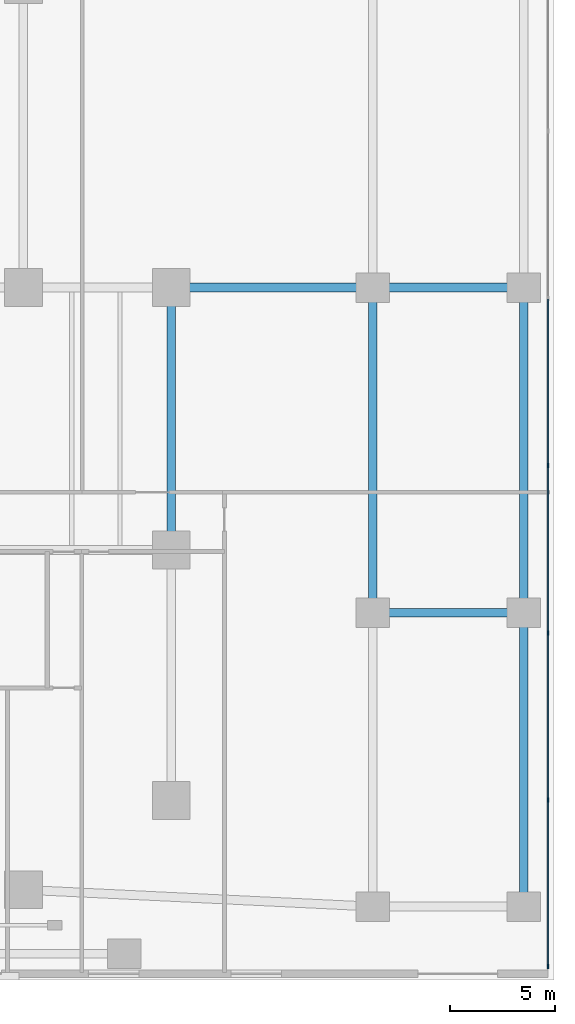
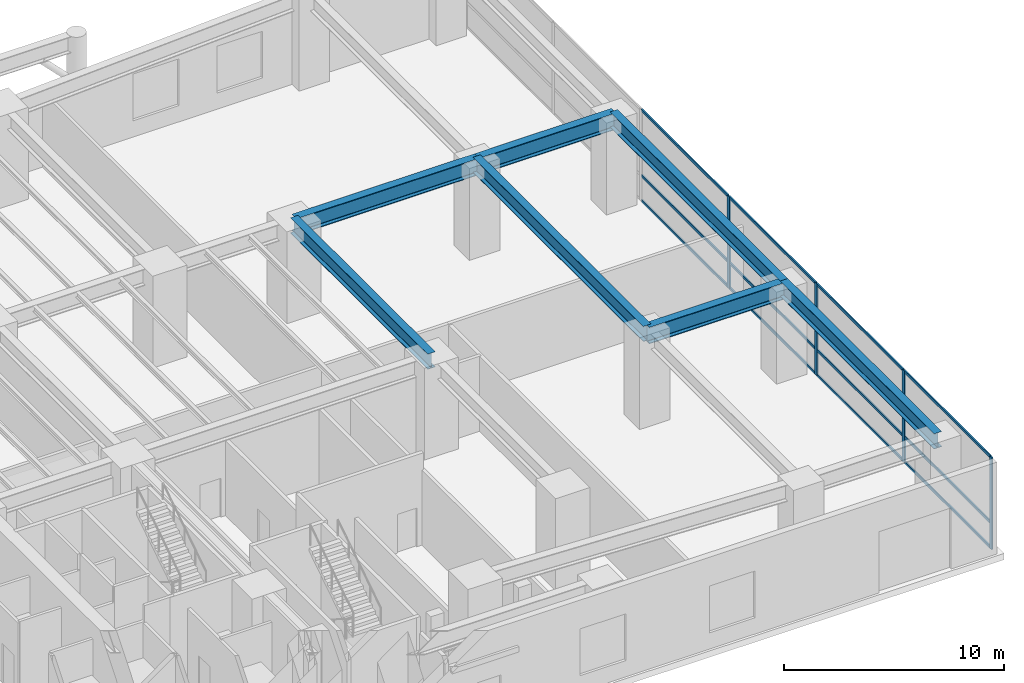
# One storey, part 6 of 19: 16 members, 7 beams, 1 element without a shape of its own.
"""IFC4 building model written with IfcOpenShell, lengths in metres."""

from ifc_helpers import new_model, si_unit, direction, frame, origin, origin_2d, place, context, subcontext, project, spatial, rectangle, i_section, extrude, material, layer, layer_set, material_profile, profile_set, type_object, element, aggregate, save


model = new_model("IFC4")

# Units and contexts
model_context = context("Model", 3, precision=1e-05, world=origin(), true_north=direction((0.0, 1.0)))
body_context = subcontext(model_context, "Body", "Model", "MODEL_VIEW")
ifc_project = project(units=[si_unit("LENGTHUNIT", "METRE"), si_unit("AREAUNIT", "SQUARE_METRE"), si_unit("VOLUMEUNIT", "CUBIC_METRE"), si_unit("PLANEANGLEUNIT", "RADIAN"), si_unit("MASSUNIT", "GRAM", prefix="KILO")], contexts=[model_context])

# Site, building, storey
site_placement = place(None, origin())
site = spatial("IfcSite", under=ifc_project, at=site_placement, CompositionType="ELEMENT")
building_placement = place(site_placement, origin())
building = spatial("IfcBuilding", under=site, at=building_placement, Name="Qalmaran Belvedere Hotel", CompositionType="ELEMENT")
storey_placement = place(building_placement, origin())
storey = spatial("IfcBuildingStorey", under=building, at=storey_placement, Name="L00", CompositionType="ELEMENT", Elevation=0.0)

# Beams
ifc_material_1 = material(Name="Steel S355JR", Category="steel")
ifc_material_profile_1 = material_profile(ifc_material_1, i_section(OverallWidth=0.419921875, OverallDepth=0.9208984375, WebThickness=0.021240234375, FlangeThickness=0.03662109375, FilletRadius=0.02392578125, at=origin_2d()), Name="W920X387")
ifc_profile_set_1 = profile_set([ifc_material_profile_1], Name="Steel S355JR")
beam_type_1 = type_object("IfcBeamType", Name="BM-PG1-W920X387", PredefinedType="USERDEFINED", material=ifc_profile_set_1)
beam_1_placement = place(storey_placement, frame((70.35009765625, 17.5, 4.639404296875), z_axis=(1.0, 0.0, 0.0), x_axis=(0.0, 1.0, 0.0)))
element("IfcBeam", 1, at=beam_1_placement, inside=storey, type_object=beam_type_1, Name="L00 Podium Primary Girder GX16", ObjectType="GIRDER", PredefinedType="USERDEFINED", context=body_context, shape_type="SweptSolid", body=[
    extrude(i_section(OverallWidth=0.419921875, OverallDepth=0.9208984375, WebThickness=0.021240234375, FlangeThickness=0.03662109375, FilletRadius=0.02392578125, at=origin_2d()), origin(), (0.0, 0.0, 1.0), 7.199951171875),
])
beam_2_placement = place(storey_placement, frame((60.75, 33.0, 4.639404296875), z_axis=(1.0, 0.0, 0.0), x_axis=(0.0, 1.0, 0.0)))
element("IfcBeam", 2, at=beam_2_placement, inside=storey, type_object=beam_type_1, Name="L00 Podium Primary Girder GX30", ObjectType="GIRDER", PredefinedType="USERDEFINED", context=body_context, shape_type="SweptSolid", body=[
    extrude(i_section(OverallWidth=0.419921875, OverallDepth=0.9208984375, WebThickness=0.021240234375, FlangeThickness=0.03662109375, FilletRadius=0.02392578125, at=origin_2d()), origin(), (0.0, 0.0, 1.0), 9.60009765625),
])
beam_3_placement = place(storey_placement, frame((70.35009765625, 33.0, 4.639404296875), z_axis=(1.0, 0.0, 0.0), x_axis=(0.0, 1.0, 0.0)))
element("IfcBeam", 3, at=beam_3_placement, inside=storey, type_object=beam_type_1, Name="L00 Podium Primary Girder GX31", ObjectType="GIRDER", PredefinedType="USERDEFINED", context=body_context, shape_type="SweptSolid", body=[
    extrude(i_section(OverallWidth=0.419921875, OverallDepth=0.9208984375, WebThickness=0.021240234375, FlangeThickness=0.03662109375, FilletRadius=0.02392578125, at=origin_2d()), origin(), (0.0, 0.0, 1.0), 7.199951171875),
])
ifc_material_profile_2 = material_profile(ifc_material_1, i_section(OverallWidth=0.39990234375, OverallDepth=0.85498046875, WebThickness=0.018310546875, FlangeThickness=0.029296875, FilletRadius=0.02392578125, at=origin_2d()), Name="W840X299")
ifc_profile_set_2 = profile_set([ifc_material_profile_2], Name="Steel S355JR")
beam_type_2 = type_object("IfcBeamType", Name="BM-PG3-W840X299", PredefinedType="USERDEFINED", material=ifc_profile_set_2)
beam_4_placement = place(storey_placement, frame((60.75, 20.5, 4.672607421875), z_axis=(0.0, 1.0, 0.0), x_axis=(-1.0, 0.0, 0.0)))
element("IfcBeam", 4, at=beam_4_placement, inside=storey, type_object=beam_type_2, Name="L00 Podium Transverse Girder GY70", ObjectType="GIRDER", PredefinedType="USERDEFINED", context=body_context, shape_type="SweptSolid", body=[
    extrude(i_section(OverallWidth=0.39990234375, OverallDepth=0.85498046875, WebThickness=0.018310546875, FlangeThickness=0.029296875, FilletRadius=0.02392578125, at=origin_2d()), origin(), (0.0, 0.0, 1.0), 12.5),
])
beam_5_placement = place(storey_placement, frame((70.35009765625, 17.5, 4.672607421875), z_axis=(0.0, 1.0, 0.0), x_axis=(-1.0, 0.0, 0.0)))
element("IfcBeam", 5, at=beam_5_placement, inside=storey, type_object=beam_type_2, Name="L00 Podium Transverse Girder GY72", ObjectType="GIRDER", PredefinedType="USERDEFINED", context=body_context, shape_type="SweptSolid", body=[
    extrude(i_section(OverallWidth=0.39990234375, OverallDepth=0.85498046875, WebThickness=0.018310546875, FlangeThickness=0.029296875, FilletRadius=0.02392578125, at=origin_2d()), origin(), (0.0, 0.0, 1.0), 15.5),
])
beam_6_placement = place(storey_placement, frame((77.550048828125, 3.5, 4.672607421875), z_axis=(0.0, 1.0, 0.0), x_axis=(-1.0, 0.0, 0.0)))
element("IfcBeam", 6, at=beam_6_placement, inside=storey, type_object=beam_type_2, Name="L00 Podium Transverse Girder GY74", ObjectType="GIRDER", PredefinedType="USERDEFINED", context=body_context, shape_type="SweptSolid", body=[
    extrude(i_section(OverallWidth=0.39990234375, OverallDepth=0.85498046875, WebThickness=0.018310546875, FlangeThickness=0.029296875, FilletRadius=0.02392578125, at=origin_2d()), origin(), (0.0, 0.0, 1.0), 14.0),
])
beam_7_placement = place(storey_placement, frame((77.550048828125, 17.5, 4.672607421875), z_axis=(0.0, 1.0, 0.0), x_axis=(-1.0, 0.0, 0.0)))
element("IfcBeam", 7, at=beam_7_placement, inside=storey, type_object=beam_type_2, Name="L00 Podium Transverse Girder GY75", ObjectType="GIRDER", PredefinedType="USERDEFINED", context=body_context, shape_type="SweptSolid", body=[
    extrude(i_section(OverallWidth=0.39990234375, OverallDepth=0.85498046875, WebThickness=0.018310546875, FlangeThickness=0.029296875, FilletRadius=0.02392578125, at=origin_2d()), origin(), (0.0, 0.0, 1.0), 15.5),
])

# Curtain wall, members
ifc_material_2 = material(Name="Anodised Bronze Aluminium", Category="aluminium")
ifc_layer = layer(ifc_material_2, 0.219970703125, Name="Anodised Bronze Aluminium")
ifc_layer_set = layer_set([ifc_layer], Name="Anodised Bronze Aluminium")
curtain_wall_type = type_object("IfcCurtainWallType", Name="CW1-PODIUM-BRONZE", PredefinedType="NOTDEFINED", material=ifc_layer_set)
curtain_wall_placement = place(storey_placement, origin())
curtain_wall = element("IfcCurtainWall", 8, at=curtain_wall_placement, inside=storey, type_object=curtain_wall_type, Name="L00 Curtain Wall CW1", PredefinedType="NOTDEFINED")
ifc_material_profile_3 = material_profile(ifc_material_2, rectangle(XDim=0.074951171875, YDim=0.219970703125, at=origin_2d()), Name="CWM75X220")
ifc_profile_set_3 = profile_set([ifc_material_profile_3], Name="Anodised Bronze Aluminium")
member_type_1 = type_object("IfcMemberType", Name="CWM-75X220", PredefinedType="MULLION", material=ifc_profile_set_3)
member_1_placement = place(storey_placement, frame((78.699951171875, 0.637451171875, 0.0), z_axis=(0.0, 0.0, 1.0), x_axis=(-1.0, 0.0, 0.0)))
member_1 = element("IfcMember", 9, at=member_1_placement, type_object=member_type_1, Name="CW1 mullion 1", PredefinedType="MULLION", context=body_context, shape_type="SweptSolid", body=[
    extrude(rectangle(XDim=0.074951171875, YDim=0.219970703125, at=origin_2d()), origin(), (0.0, 0.0, 1.0), 5.10009765625),
])
member_2_placement = place(storey_placement, frame((78.699951171875, 8.57177734375, 0.0), z_axis=(0.0, 0.0, 1.0), x_axis=(-1.0, 0.0, 0.0)))
member_2 = element("IfcMember", 10, at=member_2_placement, type_object=member_type_1, Name="CW1 mullion 2", PredefinedType="MULLION", context=body_context, shape_type="SweptSolid", body=[
    extrude(rectangle(XDim=0.074951171875, YDim=0.219970703125, at=origin_2d()), origin(), (0.0, 0.0, 1.0), 5.10009765625),
])
member_3_placement = place(storey_placement, frame((78.699951171875, 16.543212890625, 0.0), z_axis=(0.0, 0.0, 1.0), x_axis=(-1.0, 0.0, 0.0)))
member_3 = element("IfcMember", 11, at=member_3_placement, type_object=member_type_1, Name="CW1 mullion 3", PredefinedType="MULLION", context=body_context, shape_type="SweptSolid", body=[
    extrude(rectangle(XDim=0.074951171875, YDim=0.219970703125, at=origin_2d()), origin(), (0.0, 0.0, 1.0), 5.10009765625),
])
member_4_placement = place(storey_placement, frame((78.699951171875, 24.514892578125, 0.0), z_axis=(0.0, 0.0, 1.0), x_axis=(-1.0, 0.0, 0.0)))
member_4 = element("IfcMember", 12, at=member_4_placement, type_object=member_type_1, Name="CW1 mullion 4", PredefinedType="MULLION", context=body_context, shape_type="SweptSolid", body=[
    extrude(rectangle(XDim=0.074951171875, YDim=0.219970703125, at=origin_2d()), origin(), (0.0, 0.0, 1.0), 5.10009765625),
])
ifc_material_profile_4 = material_profile(ifc_material_2, rectangle(XDim=0.070068359375, YDim=0.14990234375, at=origin_2d()), Name="CWT70X150")
ifc_profile_set_4 = profile_set([ifc_material_profile_4], Name="Anodised Bronze Aluminium")
member_type_2 = type_object("IfcMemberType", Name="CWT-70X150", PredefinedType="USERDEFINED", material=ifc_profile_set_4)
member_5_placement = place(storey_placement, frame((78.699951171875, 0.675048828125, 0.034912109375), z_axis=(0.0, 1.0, 0.0), x_axis=(-1.0, 0.0, 0.0)))
member_5 = element("IfcMember", 13, at=member_5_placement, type_object=member_type_2, Name="CW1 transom 1.1", ObjectType="TRANSOM", PredefinedType="USERDEFINED", context=body_context, shape_type="SweptSolid", body=[
    extrude(rectangle(XDim=0.070068359375, YDim=0.14990234375, at=origin_2d()), origin(), (0.0, 0.0, 1.0), 7.859130859375),
])
member_6_placement = place(storey_placement, frame((78.699951171875, 0.675048828125, 1.427978515625), z_axis=(0.0, 1.0, 0.0), x_axis=(-1.0, 0.0, 0.0)))
member_6 = element("IfcMember", 14, at=member_6_placement, type_object=member_type_2, Name="CW1 transom 1.2", ObjectType="TRANSOM", PredefinedType="USERDEFINED", context=body_context, shape_type="SweptSolid", body=[
    extrude(rectangle(XDim=0.070068359375, YDim=0.14990234375, at=origin_2d()), origin(), (0.0, 0.0, 1.0), 7.859130859375),
])
member_7_placement = place(storey_placement, frame((78.699951171875, 0.675048828125, 5.06494140625), z_axis=(0.0, 1.0, 0.0), x_axis=(-1.0, 0.0, 0.0)))
member_7 = element("IfcMember", 15, at=member_7_placement, type_object=member_type_2, Name="CW1 transom 1.3", ObjectType="TRANSOM", PredefinedType="USERDEFINED", context=body_context, shape_type="SweptSolid", body=[
    extrude(rectangle(XDim=0.070068359375, YDim=0.14990234375, at=origin_2d()), origin(), (0.0, 0.0, 1.0), 7.859130859375),
])
member_8_placement = place(storey_placement, frame((78.699951171875, 8.609130859375, 0.034912109375), z_axis=(0.0, 1.0, 0.0), x_axis=(-1.0, 0.0, 0.0)))
member_8 = element("IfcMember", 16, at=member_8_placement, type_object=member_type_2, Name="CW1 transom 2.1", ObjectType="TRANSOM", PredefinedType="USERDEFINED", context=body_context, shape_type="SweptSolid", body=[
    extrude(rectangle(XDim=0.070068359375, YDim=0.14990234375, at=origin_2d()), origin(), (0.0, 0.0, 1.0), 7.896728515625),
])
member_9_placement = place(storey_placement, frame((78.699951171875, 8.609130859375, 1.427978515625), z_axis=(0.0, 1.0, 0.0), x_axis=(-1.0, 0.0, 0.0)))
member_9 = element("IfcMember", 17, at=member_9_placement, type_object=member_type_2, Name="CW1 transom 2.2", ObjectType="TRANSOM", PredefinedType="USERDEFINED", context=body_context, shape_type="SweptSolid", body=[
    extrude(rectangle(XDim=0.070068359375, YDim=0.14990234375, at=origin_2d()), origin(), (0.0, 0.0, 1.0), 7.896728515625),
])
member_10_placement = place(storey_placement, frame((78.699951171875, 8.609130859375, 5.06494140625), z_axis=(0.0, 1.0, 0.0), x_axis=(-1.0, 0.0, 0.0)))
member_10 = element("IfcMember", 18, at=member_10_placement, type_object=member_type_2, Name="CW1 transom 2.3", ObjectType="TRANSOM", PredefinedType="USERDEFINED", context=body_context, shape_type="SweptSolid", body=[
    extrude(rectangle(XDim=0.070068359375, YDim=0.14990234375, at=origin_2d()), origin(), (0.0, 0.0, 1.0), 7.896728515625),
])
member_11_placement = place(storey_placement, frame((78.699951171875, 16.580810546875, 0.034912109375), z_axis=(0.0, 1.0, 0.0), x_axis=(-1.0, 0.0, 0.0)))
member_11 = element("IfcMember", 19, at=member_11_placement, type_object=member_type_2, Name="CW1 transom 3.1", ObjectType="TRANSOM", PredefinedType="USERDEFINED", context=body_context, shape_type="SweptSolid", body=[
    extrude(rectangle(XDim=0.070068359375, YDim=0.14990234375, at=origin_2d()), origin(), (0.0, 0.0, 1.0), 7.896728515625),
])
member_12_placement = place(storey_placement, frame((78.699951171875, 16.580810546875, 1.427978515625), z_axis=(0.0, 1.0, 0.0), x_axis=(-1.0, 0.0, 0.0)))
member_12 = element("IfcMember", 20, at=member_12_placement, type_object=member_type_2, Name="CW1 transom 3.2", ObjectType="TRANSOM", PredefinedType="USERDEFINED", context=body_context, shape_type="SweptSolid", body=[
    extrude(rectangle(XDim=0.070068359375, YDim=0.14990234375, at=origin_2d()), origin(), (0.0, 0.0, 1.0), 7.896728515625),
])
member_13_placement = place(storey_placement, frame((78.699951171875, 16.580810546875, 5.06494140625), z_axis=(0.0, 1.0, 0.0), x_axis=(-1.0, 0.0, 0.0)))
member_13 = element("IfcMember", 21, at=member_13_placement, type_object=member_type_2, Name="CW1 transom 3.3", ObjectType="TRANSOM", PredefinedType="USERDEFINED", context=body_context, shape_type="SweptSolid", body=[
    extrude(rectangle(XDim=0.070068359375, YDim=0.14990234375, at=origin_2d()), origin(), (0.0, 0.0, 1.0), 7.896728515625),
])
member_14_placement = place(storey_placement, frame((78.699951171875, 24.552490234375, 0.034912109375), z_axis=(0.0, 1.0, 0.0), x_axis=(-1.0, 0.0, 0.0)))
member_14 = element("IfcMember", 22, at=member_14_placement, type_object=member_type_2, Name="CW1 transom 4.1", ObjectType="TRANSOM", PredefinedType="USERDEFINED", context=body_context, shape_type="SweptSolid", body=[
    extrude(rectangle(XDim=0.070068359375, YDim=0.14990234375, at=origin_2d()), origin(), (0.0, 0.0, 1.0), 7.896728515625),
])
member_15_placement = place(storey_placement, frame((78.699951171875, 24.552490234375, 1.427978515625), z_axis=(0.0, 1.0, 0.0), x_axis=(-1.0, 0.0, 0.0)))
member_15 = element("IfcMember", 23, at=member_15_placement, type_object=member_type_2, Name="CW1 transom 4.2", ObjectType="TRANSOM", PredefinedType="USERDEFINED", context=body_context, shape_type="SweptSolid", body=[
    extrude(rectangle(XDim=0.070068359375, YDim=0.14990234375, at=origin_2d()), origin(), (0.0, 0.0, 1.0), 7.896728515625),
])
member_16_placement = place(storey_placement, frame((78.699951171875, 24.552490234375, 5.06494140625), z_axis=(0.0, 1.0, 0.0), x_axis=(-1.0, 0.0, 0.0)))
member_16 = element("IfcMember", 24, at=member_16_placement, type_object=member_type_2, Name="CW1 transom 4.3", ObjectType="TRANSOM", PredefinedType="USERDEFINED", context=body_context, shape_type="SweptSolid", body=[
    extrude(rectangle(XDim=0.070068359375, YDim=0.14990234375, at=origin_2d()), origin(), (0.0, 0.0, 1.0), 7.896728515625),
])
aggregate(curtain_wall, [member_1, member_2, member_3, member_4, member_5, member_6, member_7, member_8, member_9, member_10, member_11, member_12, member_13, member_14, member_15, member_16])

save(model, "model.ifc")
